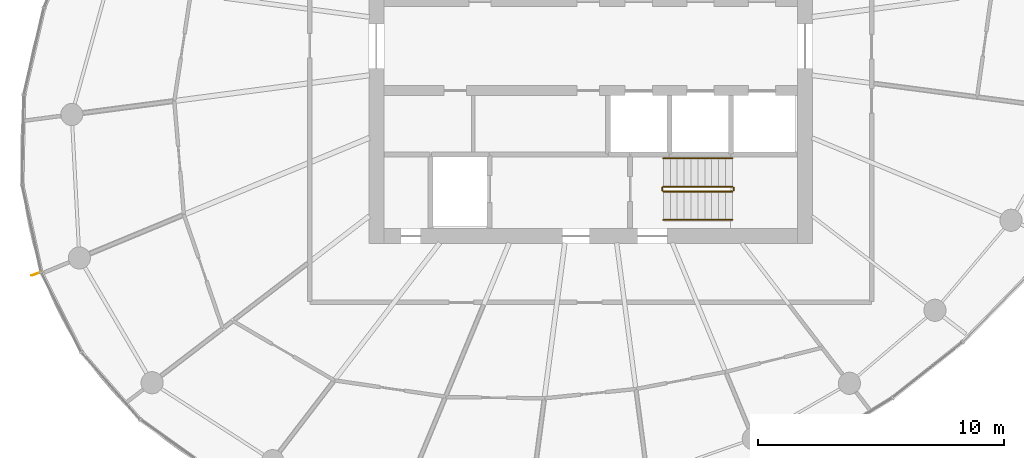
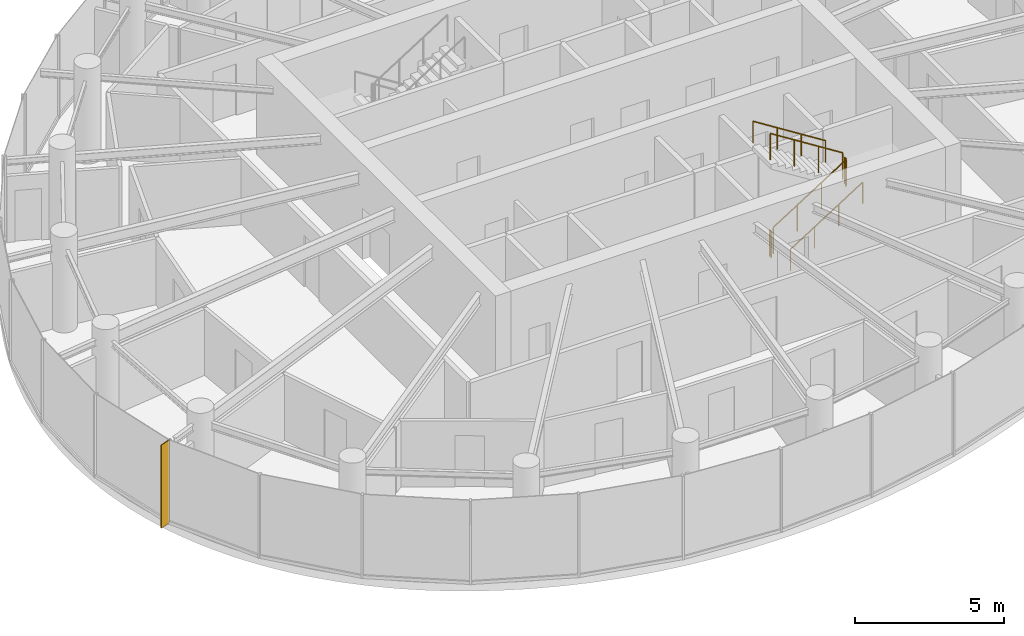
# One storey, part 13 of 14: 6 railings, 1 shading device.
"""IFC4 building model written with IfcOpenShell, lengths in metres."""

from ifc_helpers import new_model, si_unit, direction, frame, origin, origin_2d, place, context, subcontext, project, spatial, rectangle, circle, extrude, source, transform, mapped, material, material_profile, profile_set, type_object, element, save


model = new_model("IFC4")

# Units and contexts
model_context = context("Model", 3, precision=1e-05, world=origin(), true_north=direction((0.0, 1.0)))
body_context = subcontext(model_context, "Body", "Model", "MODEL_VIEW")
ifc_project = project(units=[si_unit("LENGTHUNIT", "METRE"), si_unit("AREAUNIT", "SQUARE_METRE"), si_unit("VOLUMEUNIT", "CUBIC_METRE"), si_unit("PLANEANGLEUNIT", "RADIAN"), si_unit("MASSUNIT", "GRAM", prefix="KILO")], contexts=[model_context])

# Site, building, storey
site_placement = place(None, origin())
site = spatial("IfcSite", under=ifc_project, at=site_placement, CompositionType="ELEMENT")
building_placement = place(site_placement, origin())
building = spatial("IfcBuilding", under=site, at=building_placement, Name="Spindrift Exchange Tower", CompositionType="ELEMENT")
storey_placement = place(building_placement, frame((0.0, 0.0, 226.699951171875)))
storey = spatial("IfcBuildingStorey", under=building, at=storey_placement, Name="L55", CompositionType="ELEMENT", Elevation=226.699951171875)

# Railings
ifc_material_1 = material(Name="Steel balustrade", Category="steel")
railing_type_1 = type_object("IfcRailingType", Name="RL-STAIR-GUARD", PredefinedType="GUARDRAIL", material=ifc_material_1)
railing_1_placement = place(storey_placement, frame((54.949951171875, 42.10009765625, 0.17724609375)))
element("IfcRailing", 1, at=railing_1_placement, inside=storey, type_object=railing_type_1, Name="L55 ST2 stair guard 1", PredefinedType="GUARDRAIL", context=body_context, shape_type="SweptSolid", body=[
    extrude(circle(Radius=0.02392578125, at=origin_2d()), frame((0.0, 0.0, 1.076171875), z_axis=(0.844908973607, 0.0, 0.534910110503), x_axis=(0.0, 1.0, 0.0)), (0.0, 0.0, 1.0), 3.31396484375),
    extrude(circle(Radius=0.02099609375, at=origin_2d()), origin(), (0.0, 0.0, 1.0), 1.052001953125),
    extrude(circle(Radius=0.02099609375, at=origin_2d()), frame((0.933349609375, 0.0, 0.5908203125)), (0.0, 0.0, 1.0), 1.052001953125),
    extrude(circle(Radius=0.02099609375, at=origin_2d()), frame((1.86669921875, 0.0, 1.181884765625)), (0.0, 0.0, 1.0), 1.052001953125),
    extrude(circle(Radius=0.02099609375, at=origin_2d()), frame((2.800048828125, 0.0, 1.772705078125)), (0.0, 0.0, 1.0), 1.052001953125),
])
railing_2_placement = place(storey_placement, frame((57.800048828125, 42.14990234375, 1.949951171875)))
element("IfcRailing", 2, at=railing_2_placement, inside=storey, type_object=railing_type_1, Name="L55 ST2 stair guard 2", PredefinedType="GUARDRAIL", context=body_context, shape_type="SweptSolid", body=[
    extrude(circle(Radius=0.02392578125, at=origin_2d()), frame((0.0, 0.0, 1.076171875), z_axis=(0.0, 1.0, 0.0), x_axis=(-1.0, 0.0, 0.0)), (0.0, 0.0, 1.0), 0.10009765625),
    extrude(circle(Radius=0.02099609375, at=origin_2d()), origin(), (0.0, 0.0, 1.0), 1.052001953125),
    extrude(circle(Radius=0.02099609375, at=origin_2d()), frame((0.0, 0.10009765625, 0.0)), (0.0, 0.0, 1.0), 1.052001953125),
])
railing_3_placement = place(storey_placement, frame((57.75, 42.300048828125, 2.12744140625)))
element("IfcRailing", 3, at=railing_3_placement, inside=storey, type_object=railing_type_1, Name="L55 ST2 stair guard 3", PredefinedType="GUARDRAIL", context=body_context, shape_type="SweptSolid", body=[
    extrude(circle(Radius=0.02392578125, at=origin_2d()), frame((0.0, 0.0, 1.076171875), z_axis=(-0.844908973607, 0.0, 0.534910110503), x_axis=(0.0, -1.0, 0.0)), (0.0, 0.0, 1.0), 3.31396484375),
    extrude(circle(Radius=0.02099609375, at=origin_2d()), origin(), (0.0, 0.0, 1.0), 1.052001953125),
    extrude(circle(Radius=0.02099609375, at=origin_2d()), frame((-0.933349609375, 0.0, 0.5908203125)), (0.0, 0.0, 1.0), 1.052001953125),
    extrude(circle(Radius=0.02099609375, at=origin_2d()), frame((-1.86669921875, 0.0, 1.181884765625)), (0.0, 0.0, 1.0), 1.052001953125),
    extrude(circle(Radius=0.02099609375, at=origin_2d()), frame((-2.800048828125, 0.0, 1.772705078125)), (0.0, 0.0, 1.0), 1.052001953125),
])
railing_4_placement = place(storey_placement, frame((54.89990234375, 42.14990234375, 0.0)))
element("IfcRailing", 4, at=railing_4_placement, inside=storey, type_object=railing_type_1, Name="L55 ST2 stair guard 4", PredefinedType="GUARDRAIL", context=body_context, shape_type="SweptSolid", body=[
    extrude(circle(Radius=0.02392578125, at=origin_2d()), frame((0.0, 0.0, 1.076171875), z_axis=(0.0, 1.0, 0.0), x_axis=(-1.0, 0.0, 0.0)), (0.0, 0.0, 1.0), 0.10009765625),
    extrude(circle(Radius=0.02099609375, at=origin_2d()), origin(), (0.0, 0.0, 1.0), 1.052001953125),
    extrude(circle(Radius=0.02099609375, at=origin_2d()), frame((0.0, 0.10009765625, 0.0)), (0.0, 0.0, 1.0), 1.052001953125),
])
ifc_material_2 = material(Name="Steel tubular handrail", Category="steel")
railing_type_2 = type_object("IfcRailingType", Name="RL-STAIR-HAND", PredefinedType="HANDRAIL", material=ifc_material_2)
railing_5_placement = place(storey_placement, frame((54.949951171875, 40.949951171875, 0.17724609375)))
element("IfcRailing", 5, at=railing_5_placement, inside=storey, type_object=railing_type_2, Name="L55 ST2 stair handrail 1", PredefinedType="HANDRAIL", context=body_context, shape_type="SweptSolid", body=[
    extrude(circle(Radius=0.02392578125, at=origin_2d()), frame((0.0, 0.0, 0.8759765625), z_axis=(0.844908973607, 0.0, 0.534910110503), x_axis=(0.0, 1.0, 0.0)), (0.0, 0.0, 1.0), 3.31396484375),
    extrude(circle(Radius=0.02099609375, at=origin_2d()), origin(), (0.0, 0.0, 1.0), 0.851806640625),
    extrude(circle(Radius=0.02099609375, at=origin_2d()), frame((0.933349609375, 0.0, 0.5908203125)), (0.0, 0.0, 1.0), 0.851806640625),
    extrude(circle(Radius=0.02099609375, at=origin_2d()), frame((1.86669921875, 0.0, 1.181884765625)), (0.0, 0.0, 1.0), 0.851806640625),
    extrude(circle(Radius=0.02099609375, at=origin_2d()), frame((2.800048828125, 0.0, 1.772705078125)), (0.0, 0.0, 1.0), 0.851806640625),
])
railing_6_placement = place(storey_placement, frame((57.75, 43.449951171875, 2.12744140625)))
element("IfcRailing", 6, at=railing_6_placement, inside=storey, type_object=railing_type_2, Name="L55 ST2 stair handrail 2", PredefinedType="HANDRAIL", context=body_context, shape_type="SweptSolid", body=[
    extrude(circle(Radius=0.02392578125, at=origin_2d()), frame((0.0, 0.0, 0.8759765625), z_axis=(-0.844908973607, 0.0, 0.534910110503), x_axis=(0.0, -1.0, 0.0)), (0.0, 0.0, 1.0), 3.31396484375),
    extrude(circle(Radius=0.02099609375, at=origin_2d()), origin(), (0.0, 0.0, 1.0), 0.851806640625),
    extrude(circle(Radius=0.02099609375, at=origin_2d()), frame((-0.933349609375, 0.0, 0.5908203125)), (0.0, 0.0, 1.0), 0.851806640625),
    extrude(circle(Radius=0.02099609375, at=origin_2d()), frame((-1.86669921875, 0.0, 1.181884765625)), (0.0, 0.0, 1.0), 0.851806640625),
    extrude(circle(Radius=0.02099609375, at=origin_2d()), frame((-2.800048828125, 0.0, 1.772705078125)), (0.0, 0.0, 1.0), 0.851806640625),
])

# Shading device
ifc_material_3 = material(Name="Bronze anodised aluminium", Category="aluminium")
ifc_material_profile = material_profile(ifc_material_3, rectangle(XDim=0.030029296875, YDim=0.449951171875, at=origin_2d()), Name="WIND FIN 30X450")
ifc_profile_set = profile_set([ifc_material_profile], Name="Bronze anodised aluminium")
shading_device_type = type_object("IfcShadingDeviceType", Name="WIND FIN 30X450", PredefinedType="USERDEFINED", material=ifc_profile_set)
shared_shape = source(origin(), body_context, "Body", "SweptSolid", [
    extrude(rectangle(XDim=0.030029296875, YDim=0.449951171875, at=origin_2d()), origin(), (0.0, 0.0, 1.0), 3.400146484375),
])
shading_device_placement = place(storey_placement, frame((29.514892578125, 38.764404296875, 0.0), z_axis=(0.0, 0.0, 1.0), x_axis=(0.333584745301, -0.942720116314, 0.0)))
element("IfcShadingDevice", 7, at=shading_device_placement, inside=storey, type_object=shading_device_type, Name="L55 wind fin 1", ObjectType="FIN", PredefinedType="USERDEFINED", context=body_context, shape_type="MappedRepresentation", body=[
    mapped(shared_shape, transform((0.0, 0.0, 0.0), scale=1.0)),
])

save(model, "model.ifc")
